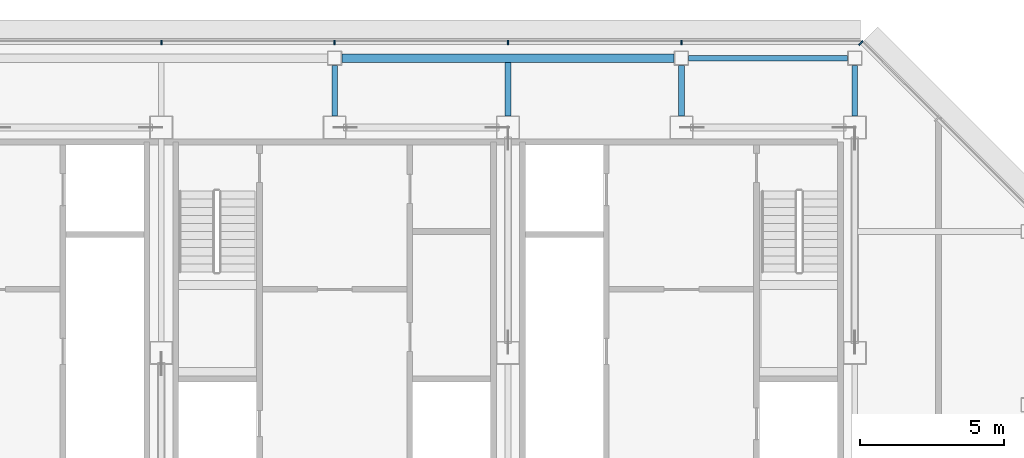
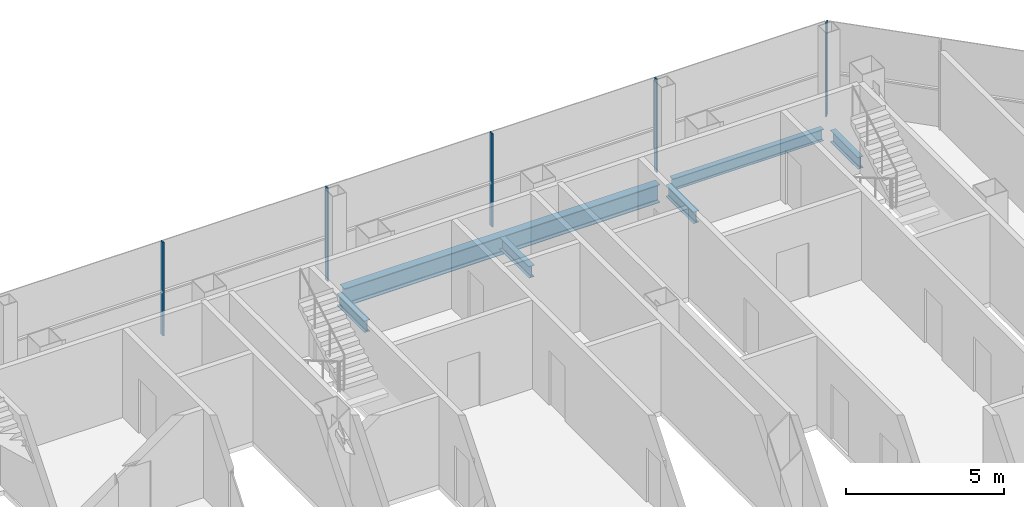
# One storey, part 16 of 28: 6 beams, 5 members, 2 elements without a shape of their own.
"""IFC4 building model written with IfcOpenShell, lengths in metres."""

from ifc_helpers import new_model, si_unit, direction, frame, origin, origin_2d, place, context, subcontext, project, spatial, rectangle, i_section, extrude, material, material_profile, profile_set, type_object, element, aggregate, save


model = new_model("IFC4")

# Units and contexts
model_context = context("Model", 3, precision=1e-05, world=origin(), true_north=direction((0.0, 1.0)))
body_context = subcontext(model_context, "Body", "Model", "MODEL_VIEW")
ifc_project = project(units=[si_unit("LENGTHUNIT", "METRE"), si_unit("AREAUNIT", "SQUARE_METRE"), si_unit("VOLUMEUNIT", "CUBIC_METRE"), si_unit("PLANEANGLEUNIT", "RADIAN"), si_unit("MASSUNIT", "GRAM", prefix="KILO")], contexts=[model_context])

# Site, building, storey
site_placement = place(None, origin())
site = spatial("IfcSite", under=ifc_project, at=site_placement, CompositionType="ELEMENT")
building_placement = place(site_placement, origin())
building = spatial("IfcBuilding", under=site, at=building_placement, Name="Sorahane Residences", CompositionType="ELEMENT")
storey_placement = place(building_placement, frame((0.0, 0.0, 308.800048828125)))
storey = spatial("IfcBuildingStorey", under=building, at=storey_placement, Name="L73", CompositionType="ELEMENT", Elevation=308.800048828125)

# Curtain wall, members
ifc_material_1 = material(Name="Dark low-e glass and black anodised aluminium", Category="aluminium")
curtain_wall_type_1 = type_object("IfcCurtainWallType", Name="Curtain wall CW-1 Typical unitised wall", PredefinedType="NOTDEFINED", material=ifc_material_1)
curtain_wall_1_placement = place(storey_placement, origin())
curtain_wall_1 = element("IfcCurtainWall", 1, at=curtain_wall_1_placement, inside=storey, type_object=curtain_wall_type_1, Name="CW-1 curtain wall L73 N1", PredefinedType="NOTDEFINED")
ifc_material_2 = material(Name="Black anodised aluminium", Category="aluminium")
ifc_material_profile_1 = material_profile(ifc_material_2, rectangle(XDim=0.159912109375, YDim=0.050048828125, at=origin_2d()), Name="Curtain wall mullion CW-1 black anodised aluminium 50x160")
ifc_profile_set_1 = profile_set([ifc_material_profile_1], Name="Black anodised aluminium")
member_type_1 = type_object("IfcMemberType", Name="Curtain wall mullion CW-1 black anodised aluminium 50x160", PredefinedType="MULLION", material=ifc_profile_set_1)
member_1_placement = place(storey_placement, frame((36.0, 48.5400390625, -0.179931640625), z_axis=(0.0, 0.0, 1.0), x_axis=(0.0, 1.0, 0.0)))
member_1 = element("IfcMember", 2, at=member_1_placement, type_object=member_type_1, Name="CW-1 mullion L73 N1.2", PredefinedType="MULLION", context=body_context, shape_type="SweptSolid", body=[
    extrude(rectangle(XDim=0.159912109375, YDim=0.050048828125, at=origin_2d()), origin(), (0.0, 0.0, 1.0), 3.599853515625),
])
member_2_placement = place(storey_placement, frame((30.0, 48.5400390625, -0.179931640625), z_axis=(0.0, 0.0, 1.0), x_axis=(0.0, 1.0, 0.0)))
member_2 = element("IfcMember", 3, at=member_2_placement, type_object=member_type_1, Name="CW-1 mullion L73 N1.3", PredefinedType="MULLION", context=body_context, shape_type="SweptSolid", body=[
    extrude(rectangle(XDim=0.159912109375, YDim=0.050048828125, at=origin_2d()), origin(), (0.0, 0.0, 1.0), 3.599853515625),
])
member_3_placement = place(storey_placement, frame((24.0, 48.5400390625, -0.179931640625), z_axis=(0.0, 0.0, 1.0), x_axis=(0.0, 1.0, 0.0)))
member_3 = element("IfcMember", 4, at=member_3_placement, type_object=member_type_1, Name="CW-1 mullion L73 N1.4", PredefinedType="MULLION", context=body_context, shape_type="SweptSolid", body=[
    extrude(rectangle(XDim=0.159912109375, YDim=0.050048828125, at=origin_2d()), origin(), (0.0, 0.0, 1.0), 3.599853515625),
])
member_4_placement = place(storey_placement, frame((18.0, 48.5400390625, -0.179931640625), z_axis=(0.0, 0.0, 1.0), x_axis=(0.0, 1.0, 0.0)))
member_4 = element("IfcMember", 5, at=member_4_placement, type_object=member_type_1, Name="CW-1 mullion L73 N1.5", PredefinedType="MULLION", context=body_context, shape_type="SweptSolid", body=[
    extrude(rectangle(XDim=0.159912109375, YDim=0.050048828125, at=origin_2d()), origin(), (0.0, 0.0, 1.0), 3.599853515625),
])
aggregate(curtain_wall_1, [member_1, member_2, member_3, member_4])

# Curtain wall, member
ifc_material_3 = material(Name="Dark low-e glass and black anodised aluminium", Category="aluminium")
curtain_wall_type_2 = type_object("IfcCurtainWallType", Name="Curtain wall CW-2 Chamfer unitised wall", PredefinedType="NOTDEFINED", material=ifc_material_3)
curtain_wall_2_placement = place(storey_placement, origin())
curtain_wall_2 = element("IfcCurtainWall", 6, at=curtain_wall_2_placement, inside=storey, type_object=curtain_wall_type_2, Name="CW-2 curtain wall L73 NE1", PredefinedType="NOTDEFINED")
ifc_material_4 = material(Name="Black anodised aluminium", Category="aluminium")
ifc_material_profile_2 = material_profile(ifc_material_4, rectangle(XDim=0.199951171875, YDim=0.050048828125, at=origin_2d()), Name="Curtain wall mullion CW-2 black anodised aluminium 50x200")
ifc_profile_set_2 = profile_set([ifc_material_profile_2], Name="Black anodised aluminium")
member_type_2 = type_object("IfcMemberType", Name="Curtain wall mullion CW-2 black anodised aluminium 50x200", PredefinedType="MULLION", material=ifc_profile_set_2)
member_5_placement = place(storey_placement, frame((42.209716796875, 48.525634765625, -0.179931640625), z_axis=(0.0, 0.0, 1.0), x_axis=(0.707106781187, 0.707106781187, 0.0)))
member_5 = element("IfcMember", 7, at=member_5_placement, type_object=member_type_2, Name="CW-2 mullion L73 NE1.3", PredefinedType="MULLION", context=body_context, shape_type="SweptSolid", body=[
    extrude(rectangle(XDim=0.199951171875, YDim=0.050048828125, at=origin_2d()), origin(), (0.0, 0.0, 1.0), 3.599853515625),
])
aggregate(curtain_wall_2, [member_5])

# Beams
ifc_material_5 = material(Name="Steel Q355B", Category="steel")
ifc_material_profile_3 = material_profile(ifc_material_5, i_section(OverallWidth=0.199951171875, OverallDepth=0.449951171875, WebThickness=0.009033203125, FlangeThickness=0.013916015625, FilletRadius=0.02001953125, at=origin_2d()), Name="HN 450x200x9x14")
ifc_profile_set_3 = profile_set([ifc_material_profile_3], Name="Steel Q355B")
beam_type_1 = type_object("IfcBeamType", Name="Steel floor beam HN 450x200x9x14 Q355B", PredefinedType="BEAM", material=ifc_profile_set_3)
beam_1_placement = place(storey_placement, frame((36.25, 48.0, -0.405029296875), z_axis=(1.0, 0.0, 0.0), x_axis=(0.0, 1.0, 0.0)))
element("IfcBeam", 8, at=beam_1_placement, inside=storey, type_object=beam_type_1, Name="Beam L73 019", PredefinedType="BEAM", context=body_context, shape_type="SweptSolid", body=[
    extrude(i_section(OverallWidth=0.199951171875, OverallDepth=0.449951171875, WebThickness=0.009033203125, FlangeThickness=0.013916015625, FilletRadius=0.02001953125, at=origin_2d()), origin(), (0.0, 0.0, 1.0), 5.5),
])
beam_2_placement = place(storey_placement, frame((24.0, 46.0, -0.405029296875), z_axis=(0.0, 1.0, 0.0), x_axis=(-1.0, 0.0, 0.0)))
element("IfcBeam", 9, at=beam_2_placement, inside=storey, type_object=beam_type_1, Name="Beam L73 047", PredefinedType="BEAM", context=body_context, shape_type="SweptSolid", body=[
    extrude(i_section(OverallWidth=0.199951171875, OverallDepth=0.449951171875, WebThickness=0.009033203125, FlangeThickness=0.013916015625, FilletRadius=0.02001953125, at=origin_2d()), origin(), (0.0, 0.0, 1.0), 1.75),
])
beam_3_placement = place(storey_placement, frame((30.0, 46.0, -0.405029296875), z_axis=(0.0, 1.0, 0.0), x_axis=(-1.0, 0.0, 0.0)))
element("IfcBeam", 10, at=beam_3_placement, inside=storey, type_object=beam_type_1, Name="Beam L73 053", PredefinedType="BEAM", context=body_context, shape_type="SweptSolid", body=[
    extrude(i_section(OverallWidth=0.199951171875, OverallDepth=0.449951171875, WebThickness=0.009033203125, FlangeThickness=0.013916015625, FilletRadius=0.02001953125, at=origin_2d()), origin(), (0.0, 0.0, 1.0), 1.85009765625),
])
for number, where, z_axis, x_axis, name in (
    (11, (36.0, 46.0, -0.405029296875), (0.0, 1.0, 0.0), (-1.0, 0.0, 0.0), "Beam L73 055"),
    (12, (42.0, 46.0, -0.405029296875), (0.0, 1.0, 0.0), (-1.0, 0.0, 0.0), "Beam L73 061"),
):
    element("IfcBeam", number, at=place(storey_placement, frame(where, z_axis=z_axis, x_axis=x_axis)), inside=storey, type_object=beam_type_1, Name=name, PredefinedType="BEAM", context=body_context, shape_type="SweptSolid", body=[
        extrude(i_section(OverallWidth=0.199951171875, OverallDepth=0.449951171875, WebThickness=0.009033203125, FlangeThickness=0.013916015625, FilletRadius=0.02001953125, at=origin_2d()), origin(), (0.0, 0.0, 1.0), 1.75),
    ])
ifc_material_6 = material(Name="Steel Q355B", Category="steel")
ifc_material_profile_4 = material_profile(ifc_material_6, i_section(OverallWidth=0.300048828125, OverallDepth=0.699951171875, WebThickness=0.012939453125, FlangeThickness=0.02392578125, FilletRadius=0.028076171875, at=origin_2d()), Name="HN 700x300x13x24")
ifc_profile_set_4 = profile_set([ifc_material_profile_4], Name="Steel Q355B")
beam_type_2 = type_object("IfcBeamType", Name="Steel floor beam HN 700x300x13x24 Q355B", PredefinedType="BEAM", material=ifc_profile_set_4)
beam_4_placement = place(storey_placement, frame((24.25, 48.0, -0.530029296875), z_axis=(1.0, 0.0, 0.0), x_axis=(0.0, 1.0, 0.0)))
element("IfcBeam", 13, at=beam_4_placement, inside=storey, type_object=beam_type_2, Name="Beam L73 018", PredefinedType="BEAM", context=body_context, shape_type="SweptSolid", body=[
    extrude(i_section(OverallWidth=0.300048828125, OverallDepth=0.699951171875, WebThickness=0.012939453125, FlangeThickness=0.02392578125, FilletRadius=0.028076171875, at=origin_2d()), origin(), (0.0, 0.0, 1.0), 11.5),
])

save(model, "model.ifc")
